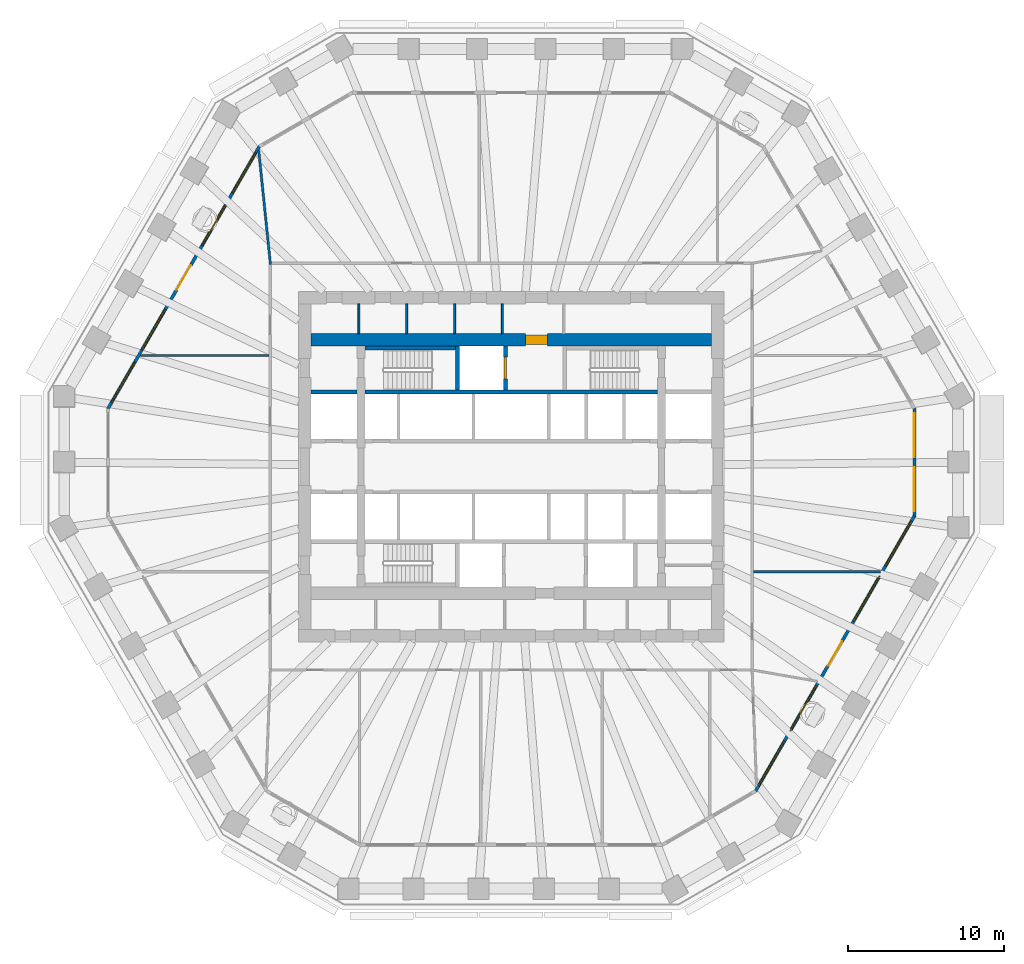
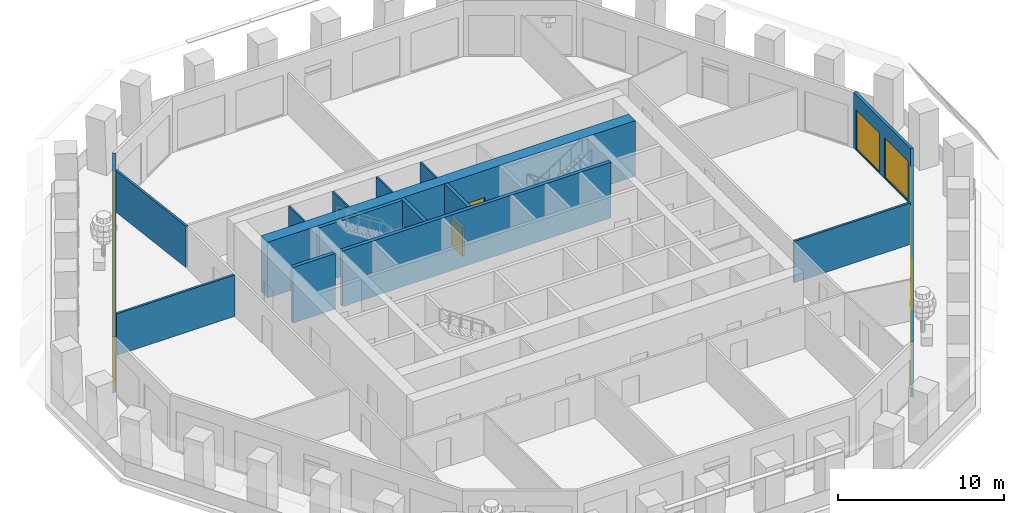
# One storey, part 6 of 12: 16 walls, 12 windows, 4 doors, 16 openings.
"""IFC4 building model written with IfcOpenShell, lengths in metres."""

from ifc_helpers import new_model, si_unit, direction, frame, frame_2d, origin, place, context, subcontext, project, spatial, polyline, rectangle, outline, extrude, material, layer, layer_set, type_object, element, fill, save


model = new_model("IFC4")

# Units and contexts
model_context = context("Model", 3, precision=1e-05, world=origin(), true_north=direction((0.0, 1.0)))
body_context = subcontext(model_context, "Body", "Model", "MODEL_VIEW")
ifc_project = project(units=[si_unit("LENGTHUNIT", "METRE"), si_unit("AREAUNIT", "SQUARE_METRE"), si_unit("VOLUMEUNIT", "CUBIC_METRE"), si_unit("PLANEANGLEUNIT", "RADIAN"), si_unit("MASSUNIT", "GRAM", prefix="KILO")], contexts=[model_context])

# Site, building, storey
site_placement = place(None, origin())
site = spatial("IfcSite", under=ifc_project, at=site_placement, CompositionType="ELEMENT")
building_placement = place(site_placement, origin())
building = spatial("IfcBuilding", under=site, at=building_placement, Name="Frailejon Research Tower", CompositionType="ELEMENT")
storey_placement = place(building_placement, frame((0.0, 0.0, 89.60009765625)))
storey = spatial("IfcBuildingStorey", under=building, at=storey_placement, Name="L19", CompositionType="ELEMENT", Elevation=89.60009765625)

# Walls
ifc_material_1 = material(Name="Plasterboard on steel studs", Category="steel")
ifc_layer_1 = layer(ifc_material_1, 0.125)
ifc_layer_set_1 = layer_set([ifc_layer_1], Name="Core partition 125")
wall_type_1 = type_object("IfcWallType", Name="Core partition 125", PredefinedType="PARTITIONING", material=ifc_layer_set_1)
for number, where, z_axis, x_axis, name in (
    (1, (-9.740478515625, 8.5, 0.0), (0.0, 0.0, 1.0), (0.0, 1.0, 0.0), "Core partition"),
    (2, (-6.68115234375, 8.5, 0.0), (0.0, 0.0, 1.0), (0.0, 1.0, 0.0), "Core partition"),
    (3, (-3.621826171875, 8.5, 0.0), (0.0, 0.0, 1.0), (0.0, 1.0, 0.0), "Core partition"),
    (4, (-0.5625, 8.5, 0.0), (0.0, 0.0, 1.0), (0.0, 1.0, 0.0), "Core partition"),
):
    element("IfcWall", number, at=place(storey_placement, frame(where, z_axis=z_axis, x_axis=x_axis)), inside=storey, type_object=wall_type_1, Name=name, PredefinedType="PARTITIONING", context=body_context, shape_type="SweptSolid", body=[
        extrude(rectangle(XDim=1.89990234375, YDim=0.125, at=frame_2d((0.949951171875, 0.0))), origin(), (0.0, 0.0, 1.0), 4.099853515625),
    ])

# Wall, opening, door
ifc_material_2 = material(Name="Concrete C70/85", Category="concrete")
ifc_layer_2 = layer(ifc_material_2, 0.800048828125)
ifc_layer_set_2 = layer_set([ifc_layer_2], Name="Core shear wall 800 C70/85")
wall_type_2 = type_object("IfcWallType", Name="Core shear wall 800 C70/85", PredefinedType="SHEAR", material=ifc_layer_set_2)
wall_1_placement = place(storey_placement, frame((-12.800048828125, 8.10009765625, 0.0), z_axis=(0.0, 0.0, 1.0), x_axis=(1.0, 0.0, 0.0)))
wall_1 = element("IfcWall", 5, at=wall_1_placement, inside=storey, type_object=wall_type_2, Name="Core shear wall", PredefinedType="SHEAR", context=body_context, shape_type="SweptSolid", body=[
    extrude(rectangle(XDim=25.60009765625, YDim=0.800048828125, at=frame_2d((12.800048828125, 0.0))), origin(), (0.0, 0.0, 1.0), 4.099853515625),
])
opening_1_placement = place(wall_1_placement, frame((13.72509765625, 0.0, 0.0)))
opening_1 = element("IfcOpeningElement", 6, at=opening_1_placement, cuts=wall_1, Name="Opening D9", PredefinedType="OPENING", context=body_context, shape_type="SweptSolid", body=[
    extrude(rectangle(XDim=1.39990234375, YDim=2.10009765625, at=frame_2d((0.699951171875, 1.050048828125))), frame((0.0, 0.409912109375, 0.0), z_axis=(0.0, -1.0, 0.0), x_axis=(1.0, 0.0, 0.0)), (0.0, 0.0, 1.0), 0.820068359375),
])
ifc_material_3 = material(Name="Steel", Category="steel")
door_type_1 = type_object("IfcDoorType", Name="Goods lobby door", OperationType="DOUBLE_DOOR_SINGLE_SWING", PredefinedType="DOOR", material=ifc_material_3)
door_1_placement = place(opening_1_placement, origin())
door_1 = element("IfcDoor", 7, at=door_1_placement, inside=storey, type_object=door_type_1, Name="Goods lobby door", OperationType="DOUBLE_DOOR_SINGLE_SWING", OverallHeight=2.10009765625, OverallWidth=1.39990234375, PredefinedType="DOOR", context=body_context, shape_type="SweptSolid", body=[
    extrude(rectangle(XDim=1.39990234375, YDim=2.10009765625, at=frame_2d((0.699951171875, 1.050048828125))), frame((0.0, 0.300048828125, 0.0), z_axis=(0.0, -1.0, 0.0), x_axis=(1.0, 0.0, 0.0)), (0.0, 0.0, 1.0), 0.60009765625),
])
fill(opening_1, door_1)

# Walls
ifc_material_4 = material(Name="Gypsum board and masonry partition", Category="masonry")
ifc_layer_3 = layer(ifc_material_4, 0.14990234375)
ifc_layer_set_3 = layer_set([ifc_layer_3], Name="Laboratory partition, blockwork 150")
wall_type_3 = type_object("IfcWallType", Name="Laboratory partition, blockwork 150", PredefinedType="PARTITIONING", material=ifc_layer_set_3)
wall_2_placement = place(storey_placement, frame((-23.7021484375, 7.099609375, 0.0), z_axis=(0.0, 0.0, 1.0), x_axis=(1.0, 0.0, 0.0)))
element("IfcWall", 8, at=wall_2_placement, inside=storey, type_object=wall_type_3, Name="T:IW:L19:005", PredefinedType="PARTITIONING", context=body_context, shape_type="SweptSolid", body=[
    extrude(rectangle(XDim=8.22705078125, YDim=0.14990234375, at=frame_2d((4.113525390625, 0.0))), origin(), (0.0, 0.0, 1.0), 3.0498046875),
])
wall_3_placement = place(storey_placement, frame((15.47509765625, -6.71240234375, 0.0), z_axis=(0.0, 0.0, 1.0), x_axis=(1.0, 0.0, 0.0)))
element("IfcWall", 9, at=wall_3_placement, inside=storey, type_object=wall_type_3, Name="T:IW:L19:008", PredefinedType="PARTITIONING", context=body_context, shape_type="SweptSolid", body=[
    extrude(rectangle(XDim=8.13134765625, YDim=0.14990234375, at=frame_2d((4.065673828125, 0.0))), origin(), (0.0, 0.0, 1.0), 3.0498046875),
])
wall_4_placement = place(storey_placement, frame((-16.140869140625, 20.1962890625, 0.0), z_axis=(0.0, 0.0, 1.0), x_axis=(0.10240685, -0.994742598401, 0.0)))
element("IfcWall", 10, at=wall_4_placement, inside=storey, type_object=wall_type_3, Name="T:IW:L19:010", PredefinedType="PARTITIONING", context=body_context, shape_type="SweptSolid", body=[
    extrude(rectangle(XDim=7.309326171875, YDim=0.14990234375, at=frame_2d((3.65478515625, 0.0))), origin(), (0.0, 0.0, 1.0), 3.0498046875),
])
ifc_material_5 = material(Name="Concrete C70/85", Category="concrete")
ifc_layer_4 = layer(ifc_material_5, 0.25)
ifc_layer_set_4 = layer_set([ifc_layer_4], Name="Shaft wall 250 C70/85")
wall_type_4 = type_object("IfcWallType", Name="Shaft wall 250 C70/85", PredefinedType="SOLIDWALL", material=ifc_layer_set_4)
wall_5_placement = place(storey_placement, frame((-12.800048828125, 4.77490234375, 0.0), z_axis=(0.0, 0.0, 1.0), x_axis=(1.0, 0.0, 0.0)))
element("IfcWall", 11, at=wall_5_placement, inside=storey, type_object=wall_type_4, Name="Shaft wall", PredefinedType="SOLIDWALL", context=body_context, shape_type="SweptSolid", body=[
    extrude(rectangle(XDim=2.949951171875, YDim=0.25, at=frame_2d((1.47509765625, 0.0))), origin(), (0.0, 0.0, 1.0), 4.099853515625),
])
wall_6_placement = place(storey_placement, frame((-9.35009765625, 4.77490234375, 0.0), z_axis=(0.0, 0.0, 1.0), x_axis=(1.0, 0.0, 0.0)))
element("IfcWall", 12, at=wall_6_placement, inside=storey, type_object=wall_type_4, Name="Shaft wall", PredefinedType="SOLIDWALL", context=body_context, shape_type="SweptSolid", body=[
    extrude(rectangle(XDim=18.7001953125, YDim=0.25, at=frame_2d((9.35009765625, 0.0))), origin(), (0.0, 0.0, 1.0), 4.099853515625),
])
wall_7_placement = place(storey_placement, frame((-9.35009765625, 7.574951171875, 0.0), z_axis=(0.0, 0.0, 1.0), x_axis=(1.0, 0.0, 0.0)))
element("IfcWall", 13, at=wall_7_placement, inside=storey, type_object=wall_type_4, Name="Shaft wall", PredefinedType="SOLIDWALL", context=body_context, shape_type="SweptSolid", body=[
    extrude(rectangle(XDim=5.800048828125, YDim=0.25, at=frame_2d((2.89990234375, 0.0))), origin(), (0.0, 0.0, 1.0), 4.099853515625),
])
wall_8_placement = place(storey_placement, frame((-3.425048828125, 4.89990234375, 0.0), z_axis=(0.0, 0.0, 1.0), x_axis=(0.0, 1.0, 0.0)))
element("IfcWall", 14, at=wall_8_placement, inside=storey, type_object=wall_type_4, Name="Shaft wall", PredefinedType="SOLIDWALL", context=body_context, shape_type="SweptSolid", body=[
    extrude(rectangle(XDim=2.800048828125, YDim=0.25, at=frame_2d((1.39990234375, 0.0))), origin(), (0.0, 0.0, 1.0), 4.099853515625),
])

# Wall, opening, door
wall_9_placement = place(storey_placement, frame((-0.375, 4.89990234375, 0.0), z_axis=(0.0, 0.0, 1.0), x_axis=(0.0, 1.0, 0.0)))
wall_9 = element("IfcWall", 15, at=wall_9_placement, inside=storey, type_object=wall_type_4, Name="Shaft wall", PredefinedType="SOLIDWALL", context=body_context, shape_type="SweptSolid", body=[
    extrude(rectangle(XDim=2.800048828125, YDim=0.25, at=frame_2d((1.39990234375, 0.0))), origin(), (0.0, 0.0, 1.0), 4.099853515625),
])
opening_2_placement = place(wall_9_placement, frame((0.699951171875, 0.0, 0.0)))
opening_2 = element("IfcOpeningElement", 16, at=opening_2_placement, cuts=wall_9, Name="Opening LD2", PredefinedType="OPENING", context=body_context, shape_type="SweptSolid", body=[
    extrude(rectangle(XDim=1.39990234375, YDim=2.10009765625, at=frame_2d((0.699951171875, 1.050048828125))), frame((0.0, 0.135009765625, 0.0), z_axis=(0.0, -1.0, 0.0), x_axis=(1.0, 0.0, 0.0)), (0.0, 0.0, 1.0), 0.27001953125),
])
ifc_material_6 = material(Name="Stainless steel", Category="steel")
door_type_2 = type_object("IfcDoorType", Name="Goods landing door", OperationType="DOUBLE_DOOR_SLIDING", PredefinedType="DOOR", material=ifc_material_6)
door_2_placement = place(opening_2_placement, origin())
door_2 = element("IfcDoor", 17, at=door_2_placement, inside=storey, type_object=door_type_2, Name="Lift landing door", OperationType="DOUBLE_DOOR_SLIDING", OverallHeight=2.10009765625, OverallWidth=1.39990234375, PredefinedType="DOOR", context=body_context, shape_type="SweptSolid", body=[
    extrude(rectangle(XDim=1.39990234375, YDim=2.10009765625, at=frame_2d((0.699951171875, 1.050048828125))), frame((0.0, 0.074951171875, 0.0), z_axis=(0.0, -1.0, 0.0), x_axis=(1.0, 0.0, 0.0)), (0.0, 0.0, 1.0), 0.14990234375),
])
fill(opening_2, door_2)

# Wall, openings, windows
ifc_material_7 = material(Name="Concrete C40/50 precast window wall panel", Category="concrete")
ifc_layer_5 = layer(ifc_material_7, 0.199951171875)
ifc_layer_set_5 = layer_set([ifc_layer_5], Name="Window wall 200")
wall_type_5 = type_object("IfcWallType", Name="Window wall 200", PredefinedType="SOLIDWALL", material=ifc_layer_set_5)
wall_10_placement = place(storey_placement, frame((25.7724609375, -3.160888671875, 0.0), z_axis=(0.0, 0.0, 1.0), x_axis=(0.0, 1.0, 0.0)))
wall_10 = element("IfcWall", 18, at=wall_10_placement, inside=storey, type_object=wall_type_5, Name="Exterior wall L19", PredefinedType="SOLIDWALL", context=body_context, shape_type="SweptSolid", body=[
    extrude(outline(polyline([(-0.02685546875, -0.10009765625), (1.1279296875, -0.10009765625), (2.28271484375, -0.10009765625), (3.4375, -0.10009765625), (4.592041015625, -0.10009765625), (5.746826171875, -0.10009765625), (6.901611328125, -0.10009765625), (6.847900390625, 0.10009765625), (5.7109375, 0.10009765625), (4.57421875, 0.10009765625), (3.4375, 0.10009765625), (2.300537109375, 0.10009765625), (1.16357421875, 0.10009765625), (0.02685546875, 0.10009765625), (-0.02685546875, -0.10009765625)])), origin(), (0.0, 0.0, 1.0), 4.099853515625),
])
opening_3_placement = place(wall_10_placement, frame((0.318603515625, 0.0, 0.10009765625)))
opening_3 = element("IfcOpeningElement", 19, at=opening_3_placement, cuts=wall_10, Name="Opening W3", PredefinedType="OPENING", context=body_context, shape_type="SweptSolid", body=[
    extrude(rectangle(XDim=2.800048828125, YDim=2.89990234375, at=frame_2d((1.39990234375, 1.449951171875))), frame((0.0, 0.10986328125, 0.0), z_axis=(0.0, -1.0, 0.0), x_axis=(1.0, 0.0, 0.0)), (0.0, 0.0, 1.0), 0.219970703125),
])
opening_4_placement = place(wall_10_placement, frame((3.756103515625, 0.0, 0.10009765625)))
opening_4 = element("IfcOpeningElement", 20, at=opening_4_placement, cuts=wall_10, Name="Opening W3", PredefinedType="OPENING", context=body_context, shape_type="SweptSolid", body=[
    extrude(rectangle(XDim=2.800048828125, YDim=2.89990234375, at=frame_2d((1.39990234375, 1.449951171875))), frame((0.0, 0.10986328125, 0.0), z_axis=(0.0, -1.0, 0.0), x_axis=(1.0, 0.0, 0.0)), (0.0, 0.0, 1.0), 0.219970703125),
])
ifc_material_8 = material(Name="Aluminium framed double glazing", Category="aluminium")
window_type_1 = type_object("IfcWindowType", Name="Window 2800x2900", PartitioningType="SINGLE_PANEL", PredefinedType="WINDOW", material=ifc_material_8)
window_1_placement = place(opening_3_placement, origin())
window_1 = element("IfcWindow", 21, at=window_1_placement, inside=storey, type_object=window_type_1, Name="Window L19", OverallHeight=2.89990234375, OverallWidth=2.800048828125, PartitioningType="SINGLE_PANEL", PredefinedType="WINDOW", context=body_context, shape_type="SweptSolid", body=[
    extrude(rectangle(XDim=2.800048828125, YDim=2.89990234375, at=frame_2d((1.39990234375, 1.449951171875))), frame((0.0, 0.030029296875, 0.0), z_axis=(0.0, -1.0, 0.0), x_axis=(1.0, 0.0, 0.0)), (0.0, 0.0, 1.0), 0.06005859375),
])
fill(opening_3, window_1)
window_2_placement = place(opening_4_placement, origin())
window_2 = element("IfcWindow", 22, at=window_2_placement, inside=storey, type_object=window_type_1, Name="Window L19", OverallHeight=2.89990234375, OverallWidth=2.800048828125, PartitioningType="SINGLE_PANEL", PredefinedType="WINDOW", context=body_context, shape_type="SweptSolid", body=[
    extrude(rectangle(XDim=2.800048828125, YDim=2.89990234375, at=frame_2d((1.39990234375, 1.449951171875))), frame((0.0, 0.030029296875, 0.0), z_axis=(0.0, -1.0, 0.0), x_axis=(1.0, 0.0, 0.0)), (0.0, 0.0, 1.0), 0.06005859375),
])
fill(opening_4, window_2)

# Wall, openings, door, windows
wall_11_placement = place(storey_placement, frame((-16.1025390625, 20.462646484375, 0.0), z_axis=(0.0, 0.0, 1.0), x_axis=(-0.500000373815, -0.866025187962, 0.0)))
wall_11 = element("IfcWall", 23, at=wall_11_placement, inside=storey, type_object=wall_type_5, Name="Exterior wall L19", PredefinedType="SOLIDWALL", context=body_context, shape_type="SweptSolid", body=[
    extrude(outline(polyline([(-0.02685546875, -0.10009765625), (0.993896484375, -0.10009765625), (2.0146484375, -0.10009765625), (3.035400390625, -0.10009765625), (4.055908203125, -0.10009765625), (5.07666015625, -0.10009765625), (6.097412109375, -0.10009765625), (7.1181640625, -0.10009765625), (8.138916015625, -0.10009765625), (9.15966796875, -0.10009765625), (10.18017578125, -0.10009765625), (11.200927734375, -0.10009765625), (12.2216796875, -0.10009765625), (13.242431640625, -0.10009765625), (14.26318359375, -0.10009765625), (15.283935546875, -0.10009765625), (16.304443359375, -0.10009765625), (17.3251953125, -0.10009765625), (18.345947265625, -0.10009765625), (19.36669921875, -0.10009765625), (19.31298828125, 0.10009765625), (18.2978515625, 0.10009765625), (17.282958984375, 0.10009765625), (16.267822265625, 0.10009765625), (15.252685546875, 0.10009765625), (14.23779296875, 0.10009765625), (13.22265625, 0.10009765625), (12.20751953125, 0.10009765625), (11.192626953125, 0.10009765625), (10.177490234375, 0.10009765625), (9.162353515625, 0.10009765625), (8.147216796875, 0.10009765625), (7.13232421875, 0.10009765625), (6.1171875, 0.10009765625), (5.10205078125, 0.10009765625), (4.087158203125, 0.10009765625), (3.072021484375, 0.10009765625), (2.056884765625, 0.10009765625), (1.0419921875, 0.10009765625), (0.02685546875, 0.10009765625), (-0.02685546875, -0.10009765625)])), origin(), (0.0, 0.0, 1.0), 4.099853515625),
])
opening_5_placement = place(wall_11_placement, frame((0.43408203125, 0.0, 0.10009765625)))
opening_5 = element("IfcOpeningElement", 24, at=opening_5_placement, cuts=wall_11, Name="Opening W4", PredefinedType="OPENING", context=body_context, shape_type="SweptSolid", body=[
    extrude(rectangle(XDim=3.0, YDim=2.89990234375, at=frame_2d((1.5, 1.449951171875))), frame((0.0, 0.10986328125, 0.0), z_axis=(0.0, -1.0, 0.0), x_axis=(1.0, 0.0, 0.0)), (0.0, 0.0, 1.0), 0.219970703125),
])
opening_6_placement = place(wall_11_placement, frame((4.302001953125, 0.0, 0.10009765625)))
opening_6 = element("IfcOpeningElement", 25, at=opening_6_placement, cuts=wall_11, Name="Opening W4", PredefinedType="OPENING", context=body_context, shape_type="SweptSolid", body=[
    extrude(rectangle(XDim=3.0, YDim=2.89990234375, at=frame_2d((1.5, 1.449951171875))), frame((0.0, 0.10986328125, 0.0), z_axis=(0.0, -1.0, 0.0), x_axis=(1.0, 0.0, 0.0)), (0.0, 0.0, 1.0), 0.219970703125),
])
opening_7_placement = place(wall_11_placement, frame((8.77001953125, 0.0, 0.0)))
opening_7 = element("IfcOpeningElement", 26, at=opening_7_placement, cuts=wall_11, Name="Opening LG19-3", PredefinedType="OPENING", context=body_context, shape_type="SweptSolid", body=[
    extrude(rectangle(XDim=1.800048828125, YDim=2.39990234375, at=frame_2d((0.89990234375, 1.199951171875))), frame((0.0, 0.10986328125, 0.0), z_axis=(0.0, -1.0, 0.0), x_axis=(1.0, 0.0, 0.0)), (0.0, 0.0, 1.0), 0.219970703125),
])
opening_8_placement = place(wall_11_placement, frame((8.77001953125, 0.0, 2.550048828125)))
opening_8 = element("IfcOpeningElement", 27, at=opening_8_placement, cuts=wall_11, Name="Opening W1", PredefinedType="OPENING", context=body_context, shape_type="SweptSolid", body=[
    extrude(rectangle(XDim=1.800048828125, YDim=0.449951171875, at=frame_2d((0.89990234375, 0.22509765625))), frame((0.0, 0.10986328125, 0.0), z_axis=(0.0, -1.0, 0.0), x_axis=(1.0, 0.0, 0.0)), (0.0, 0.0, 1.0), 0.219970703125),
])
opening_9_placement = place(wall_11_placement, frame((12.037841796875, 0.0, 0.10009765625)))
opening_9 = element("IfcOpeningElement", 28, at=opening_9_placement, cuts=wall_11, Name="Opening W4", PredefinedType="OPENING", context=body_context, shape_type="SweptSolid", body=[
    extrude(rectangle(XDim=3.0, YDim=2.89990234375, at=frame_2d((1.5, 1.449951171875))), frame((0.0, 0.10986328125, 0.0), z_axis=(0.0, -1.0, 0.0), x_axis=(1.0, 0.0, 0.0)), (0.0, 0.0, 1.0), 0.219970703125),
])
opening_10_placement = place(wall_11_placement, frame((15.906005859375, 0.0, 0.10009765625)))
opening_10 = element("IfcOpeningElement", 29, at=opening_10_placement, cuts=wall_11, Name="Opening W4", PredefinedType="OPENING", context=body_context, shape_type="SweptSolid", body=[
    extrude(rectangle(XDim=3.0, YDim=2.89990234375, at=frame_2d((1.5, 1.449951171875))), frame((0.0, 0.10986328125, 0.0), z_axis=(0.0, -1.0, 0.0), x_axis=(1.0, 0.0, 0.0)), (0.0, 0.0, 1.0), 0.219970703125),
])
ifc_material_9 = material(Name="Aluminium framed glazed door leaf", Category="aluminium")
door_type_3 = type_object("IfcDoorType", Name="Loggia door 1800x2400", OperationType="DOUBLE_DOOR_SINGLE_SWING", PredefinedType="DOOR", material=ifc_material_9)
door_3_placement = place(opening_7_placement, origin())
door_3 = element("IfcDoor", 30, at=door_3_placement, inside=storey, type_object=door_type_3, Name="Door LG19-3", OperationType="DOUBLE_DOOR_SINGLE_SWING", OverallHeight=2.39990234375, OverallWidth=1.800048828125, PredefinedType="DOOR", context=body_context, shape_type="SweptSolid", body=[
    extrude(rectangle(XDim=1.800048828125, YDim=2.39990234375, at=frame_2d((0.89990234375, 1.199951171875))), frame((0.0, 0.02490234375, 0.0), z_axis=(0.0, -1.0, 0.0), x_axis=(1.0, 0.0, 0.0)), (0.0, 0.0, 1.0), 0.050048828125),
])
fill(opening_7, door_3)
ifc_material_10 = material(Name="Aluminium framed double glazing", Category="aluminium")
window_type_2 = type_object("IfcWindowType", Name="Window 1800x450", PartitioningType="SINGLE_PANEL", PredefinedType="WINDOW", material=ifc_material_10)
window_3_placement = place(opening_8_placement, origin())
window_3 = element("IfcWindow", 31, at=window_3_placement, inside=storey, type_object=window_type_2, Name="Window L19", OverallHeight=0.449951171875, OverallWidth=1.800048828125, PartitioningType="SINGLE_PANEL", PredefinedType="WINDOW", context=body_context, shape_type="SweptSolid", body=[
    extrude(rectangle(XDim=1.800048828125, YDim=0.449951171875, at=frame_2d((0.89990234375, 0.22509765625))), frame((0.0, 0.030029296875, 0.0), z_axis=(0.0, -1.0, 0.0), x_axis=(1.0, 0.0, 0.0)), (0.0, 0.0, 1.0), 0.06005859375),
])
fill(opening_8, window_3)
ifc_material_11 = material(Name="Aluminium framed double glazing", Category="aluminium")
window_type_3 = type_object("IfcWindowType", Name="Window 3000x2900", PartitioningType="SINGLE_PANEL", PredefinedType="WINDOW", material=ifc_material_11)
window_4_placement = place(opening_5_placement, origin())
window_4 = element("IfcWindow", 32, at=window_4_placement, inside=storey, type_object=window_type_3, Name="Window L19", OverallHeight=2.89990234375, OverallWidth=3.0, PartitioningType="SINGLE_PANEL", PredefinedType="WINDOW", context=body_context, shape_type="SweptSolid", body=[
    extrude(rectangle(XDim=3.0, YDim=2.89990234375, at=frame_2d((1.5, 1.449951171875))), frame((0.0, 0.030029296875, 0.0), z_axis=(0.0, -1.0, 0.0), x_axis=(1.0, 0.0, 0.0)), (0.0, 0.0, 1.0), 0.06005859375),
])
fill(opening_5, window_4)
window_5_placement = place(opening_6_placement, origin())
window_5 = element("IfcWindow", 33, at=window_5_placement, inside=storey, type_object=window_type_3, Name="Window L19", OverallHeight=2.89990234375, OverallWidth=3.0, PartitioningType="SINGLE_PANEL", PredefinedType="WINDOW", context=body_context, shape_type="SweptSolid", body=[
    extrude(rectangle(XDim=3.0, YDim=2.89990234375, at=frame_2d((1.5, 1.449951171875))), frame((0.0, 0.030029296875, 0.0), z_axis=(0.0, -1.0, 0.0), x_axis=(1.0, 0.0, 0.0)), (0.0, 0.0, 1.0), 0.06005859375),
])
fill(opening_6, window_5)
window_6_placement = place(opening_9_placement, origin())
window_6 = element("IfcWindow", 34, at=window_6_placement, inside=storey, type_object=window_type_3, Name="Window L19", OverallHeight=2.89990234375, OverallWidth=3.0, PartitioningType="SINGLE_PANEL", PredefinedType="WINDOW", context=body_context, shape_type="SweptSolid", body=[
    extrude(rectangle(XDim=3.0, YDim=2.89990234375, at=frame_2d((1.5, 1.449951171875))), frame((0.0, 0.030029296875, 0.0), z_axis=(0.0, -1.0, 0.0), x_axis=(1.0, 0.0, 0.0)), (0.0, 0.0, 1.0), 0.06005859375),
])
fill(opening_9, window_6)
window_7_placement = place(opening_10_placement, origin())
window_7 = element("IfcWindow", 35, at=window_7_placement, inside=storey, type_object=window_type_3, Name="Window L19", OverallHeight=2.89990234375, OverallWidth=3.0, PartitioningType="SINGLE_PANEL", PredefinedType="WINDOW", context=body_context, shape_type="SweptSolid", body=[
    extrude(rectangle(XDim=3.0, YDim=2.89990234375, at=frame_2d((1.5, 1.449951171875))), frame((0.0, 0.030029296875, 0.0), z_axis=(0.0, -1.0, 0.0), x_axis=(1.0, 0.0, 0.0)), (0.0, 0.0, 1.0), 0.06005859375),
])
fill(opening_10, window_7)

wall_12_placement = place(storey_placement, frame((15.62353515625, -20.7392578125, 0.0), z_axis=(0.0, 0.0, 1.0), x_axis=(0.500001833672, 0.866024345111, 0.0)))
wall_12 = element("IfcWall", 36, at=wall_12_placement, inside=storey, type_object=wall_type_5, Name="Exterior wall L19", PredefinedType="SOLIDWALL", context=body_context, shape_type="SweptSolid", body=[
    extrude(outline(polyline([(-0.02685546875, -0.10009765625), (0.99072265625, -0.10009765625), (2.00830078125, -0.10009765625), (3.02587890625, -0.10009765625), (4.04345703125, -0.10009765625), (5.06103515625, -0.10009765625), (6.07861328125, -0.10009765625), (7.09619140625, -0.10009765625), (8.11376953125, -0.10009765625), (9.13134765625, -0.10009765625), (10.14892578125, -0.10009765625), (11.16650390625, -0.10009765625), (12.18408203125, -0.10009765625), (13.20166015625, -0.10009765625), (14.21923828125, -0.10009765625), (15.23681640625, -0.10009765625), (16.25439453125, -0.10009765625), (17.27197265625, -0.10009765625), (18.28955078125, -0.10009765625), (19.30712890625, -0.10009765625), (20.32470703125, -0.10009765625), (20.27099609375, 0.10009765625), (19.2587890625, 0.10009765625), (18.24658203125, 0.10009765625), (17.234375, 0.10009765625), (16.22216796875, 0.10009765625), (15.2099609375, 0.10009765625), (14.19775390625, 0.10009765625), (13.185546875, 0.10009765625), (12.17333984375, 0.10009765625), (11.1611328125, 0.10009765625), (10.14892578125, 0.10009765625), (9.13671875, 0.10009765625), (8.12451171875, 0.10009765625), (7.1123046875, 0.10009765625), (6.10009765625, 0.10009765625), (5.087890625, 0.10009765625), (4.07568359375, 0.10009765625), (3.0634765625, 0.10009765625), (2.05126953125, 0.10009765625), (1.0390625, 0.10009765625), (0.02685546875, 0.10009765625), (-0.02685546875, -0.10009765625)])), origin(), (0.0, 0.0, 1.0), 4.099853515625),
])
opening_11_placement = place(wall_12_placement, frame((0.3798828125, 0.0, 0.10009765625)))
opening_11 = element("IfcOpeningElement", 37, at=opening_11_placement, cuts=wall_12, Name="Opening W5", PredefinedType="OPENING", context=body_context, shape_type="SweptSolid", body=[
    extrude(rectangle(XDim=3.300048828125, YDim=2.89990234375, at=frame_2d((1.64990234375, 1.449951171875))), frame((0.0, 0.10986328125, 0.0), z_axis=(0.0, -1.0, 0.0), x_axis=(1.0, 0.0, 0.0)), (0.0, 0.0, 1.0), 0.219970703125),
])
opening_12_placement = place(wall_12_placement, frame((4.439453125, 0.0, 0.10009765625)))
opening_12 = element("IfcOpeningElement", 38, at=opening_12_placement, cuts=wall_12, Name="Opening W5", PredefinedType="OPENING", context=body_context, shape_type="SweptSolid", body=[
    extrude(rectangle(XDim=3.300048828125, YDim=2.89990234375, at=frame_2d((1.64990234375, 1.449951171875))), frame((0.0, 0.10986328125, 0.0), z_axis=(0.0, -1.0, 0.0), x_axis=(1.0, 0.0, 0.0)), (0.0, 0.0, 1.0), 0.219970703125),
])
opening_13_placement = place(wall_12_placement, frame((9.248779296875, 0.0, 0.0)))
opening_13 = element("IfcOpeningElement", 39, at=opening_13_placement, cuts=wall_12, Name="Opening LG19-6", PredefinedType="OPENING", context=body_context, shape_type="SweptSolid", body=[
    extrude(rectangle(XDim=1.800048828125, YDim=2.39990234375, at=frame_2d((0.89990234375, 1.199951171875))), frame((0.0, 0.10986328125, 0.0), z_axis=(0.0, -1.0, 0.0), x_axis=(1.0, 0.0, 0.0)), (0.0, 0.0, 1.0), 0.219970703125),
])
opening_14_placement = place(wall_12_placement, frame((9.248779296875, 0.0, 2.550048828125)))
opening_14 = element("IfcOpeningElement", 40, at=opening_14_placement, cuts=wall_12, Name="Opening W1", PredefinedType="OPENING", context=body_context, shape_type="SweptSolid", body=[
    extrude(rectangle(XDim=1.800048828125, YDim=0.449951171875, at=frame_2d((0.89990234375, 0.22509765625))), frame((0.0, 0.10986328125, 0.0), z_axis=(0.0, -1.0, 0.0), x_axis=(1.0, 0.0, 0.0)), (0.0, 0.0, 1.0), 0.219970703125),
])
opening_15_placement = place(wall_12_placement, frame((12.55859375, 0.0, 0.10009765625)))
opening_15 = element("IfcOpeningElement", 41, at=opening_15_placement, cuts=wall_12, Name="Opening W5", PredefinedType="OPENING", context=body_context, shape_type="SweptSolid", body=[
    extrude(rectangle(XDim=3.300048828125, YDim=2.89990234375, at=frame_2d((1.64990234375, 1.449951171875))), frame((0.0, 0.10986328125, 0.0), z_axis=(0.0, -1.0, 0.0), x_axis=(1.0, 0.0, 0.0)), (0.0, 0.0, 1.0), 0.219970703125),
])
opening_16_placement = place(wall_12_placement, frame((16.6181640625, 0.0, 0.10009765625)))
opening_16 = element("IfcOpeningElement", 42, at=opening_16_placement, cuts=wall_12, Name="Opening W5", PredefinedType="OPENING", context=body_context, shape_type="SweptSolid", body=[
    extrude(rectangle(XDim=3.300048828125, YDim=2.89990234375, at=frame_2d((1.64990234375, 1.449951171875))), frame((0.0, 0.10986328125, 0.0), z_axis=(0.0, -1.0, 0.0), x_axis=(1.0, 0.0, 0.0)), (0.0, 0.0, 1.0), 0.219970703125),
])
door_4_placement = place(opening_13_placement, origin())
door_4 = element("IfcDoor", 43, at=door_4_placement, inside=storey, type_object=door_type_3, Name="Door LG19-6", OperationType="DOUBLE_DOOR_SINGLE_SWING", OverallHeight=2.39990234375, OverallWidth=1.800048828125, PredefinedType="DOOR", context=body_context, shape_type="SweptSolid", body=[
    extrude(rectangle(XDim=1.800048828125, YDim=2.39990234375, at=frame_2d((0.89990234375, 1.199951171875))), frame((0.0, 0.02490234375, 0.0), z_axis=(0.0, -1.0, 0.0), x_axis=(1.0, 0.0, 0.0)), (0.0, 0.0, 1.0), 0.050048828125),
])
fill(opening_13, door_4)
window_8_placement = place(opening_14_placement, origin())
window_8 = element("IfcWindow", 44, at=window_8_placement, inside=storey, type_object=window_type_2, Name="Window L19", OverallHeight=0.449951171875, OverallWidth=1.800048828125, PartitioningType="SINGLE_PANEL", PredefinedType="WINDOW", context=body_context, shape_type="SweptSolid", body=[
    extrude(rectangle(XDim=1.800048828125, YDim=0.449951171875, at=frame_2d((0.89990234375, 0.22509765625))), frame((0.0, 0.030029296875, 0.0), z_axis=(0.0, -1.0, 0.0), x_axis=(1.0, 0.0, 0.0)), (0.0, 0.0, 1.0), 0.06005859375),
])
fill(opening_14, window_8)
ifc_material_12 = material(Name="Aluminium framed double glazing", Category="aluminium")
window_type_4 = type_object("IfcWindowType", Name="Window 3300x2900", PartitioningType="SINGLE_PANEL", PredefinedType="WINDOW", material=ifc_material_12)
window_9_placement = place(opening_11_placement, origin())
window_9 = element("IfcWindow", 45, at=window_9_placement, inside=storey, type_object=window_type_4, Name="Window L19", OverallHeight=2.89990234375, OverallWidth=3.300048828125, PartitioningType="SINGLE_PANEL", PredefinedType="WINDOW", context=body_context, shape_type="SweptSolid", body=[
    extrude(rectangle(XDim=3.300048828125, YDim=2.89990234375, at=frame_2d((1.64990234375, 1.449951171875))), frame((0.0, 0.030029296875, 0.0), z_axis=(0.0, -1.0, 0.0), x_axis=(1.0, 0.0, 0.0)), (0.0, 0.0, 1.0), 0.06005859375),
])
fill(opening_11, window_9)
window_10_placement = place(opening_12_placement, origin())
window_10 = element("IfcWindow", 46, at=window_10_placement, inside=storey, type_object=window_type_4, Name="Window L19", OverallHeight=2.89990234375, OverallWidth=3.300048828125, PartitioningType="SINGLE_PANEL", PredefinedType="WINDOW", context=body_context, shape_type="SweptSolid", body=[
    extrude(rectangle(XDim=3.300048828125, YDim=2.89990234375, at=frame_2d((1.64990234375, 1.449951171875))), frame((0.0, 0.030029296875, 0.0), z_axis=(0.0, -1.0, 0.0), x_axis=(1.0, 0.0, 0.0)), (0.0, 0.0, 1.0), 0.06005859375),
])
fill(opening_12, window_10)
window_11_placement = place(opening_15_placement, origin())
window_11 = element("IfcWindow", 47, at=window_11_placement, inside=storey, type_object=window_type_4, Name="Window L19", OverallHeight=2.89990234375, OverallWidth=3.300048828125, PartitioningType="SINGLE_PANEL", PredefinedType="WINDOW", context=body_context, shape_type="SweptSolid", body=[
    extrude(rectangle(XDim=3.300048828125, YDim=2.89990234375, at=frame_2d((1.64990234375, 1.449951171875))), frame((0.0, 0.030029296875, 0.0), z_axis=(0.0, -1.0, 0.0), x_axis=(1.0, 0.0, 0.0)), (0.0, 0.0, 1.0), 0.06005859375),
])
fill(opening_15, window_11)
window_12_placement = place(opening_16_placement, origin())
window_12 = element("IfcWindow", 48, at=window_12_placement, inside=storey, type_object=window_type_4, Name="Window L19", OverallHeight=2.89990234375, OverallWidth=3.300048828125, PartitioningType="SINGLE_PANEL", PredefinedType="WINDOW", context=body_context, shape_type="SweptSolid", body=[
    extrude(rectangle(XDim=3.300048828125, YDim=2.89990234375, at=frame_2d((1.64990234375, 1.449951171875))), frame((0.0, 0.030029296875, 0.0), z_axis=(0.0, -1.0, 0.0), x_axis=(1.0, 0.0, 0.0)), (0.0, 0.0, 1.0), 0.06005859375),
])
fill(opening_16, window_12)

save(model, "model.ifc")
